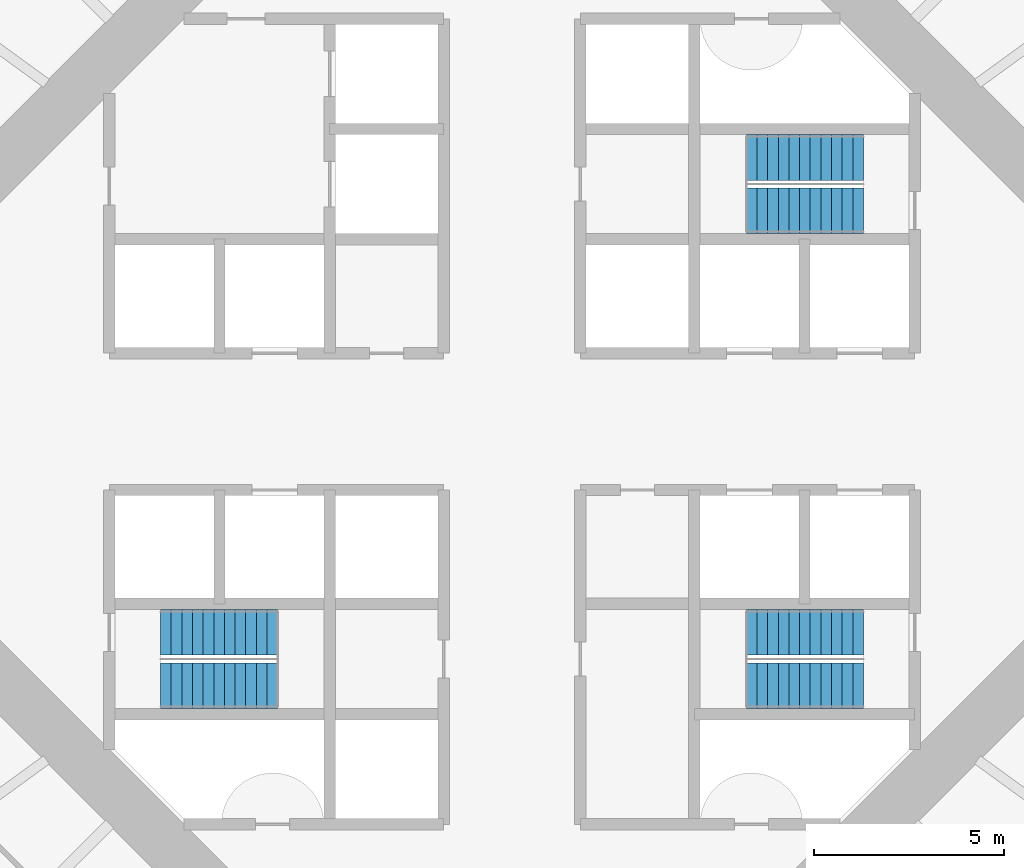
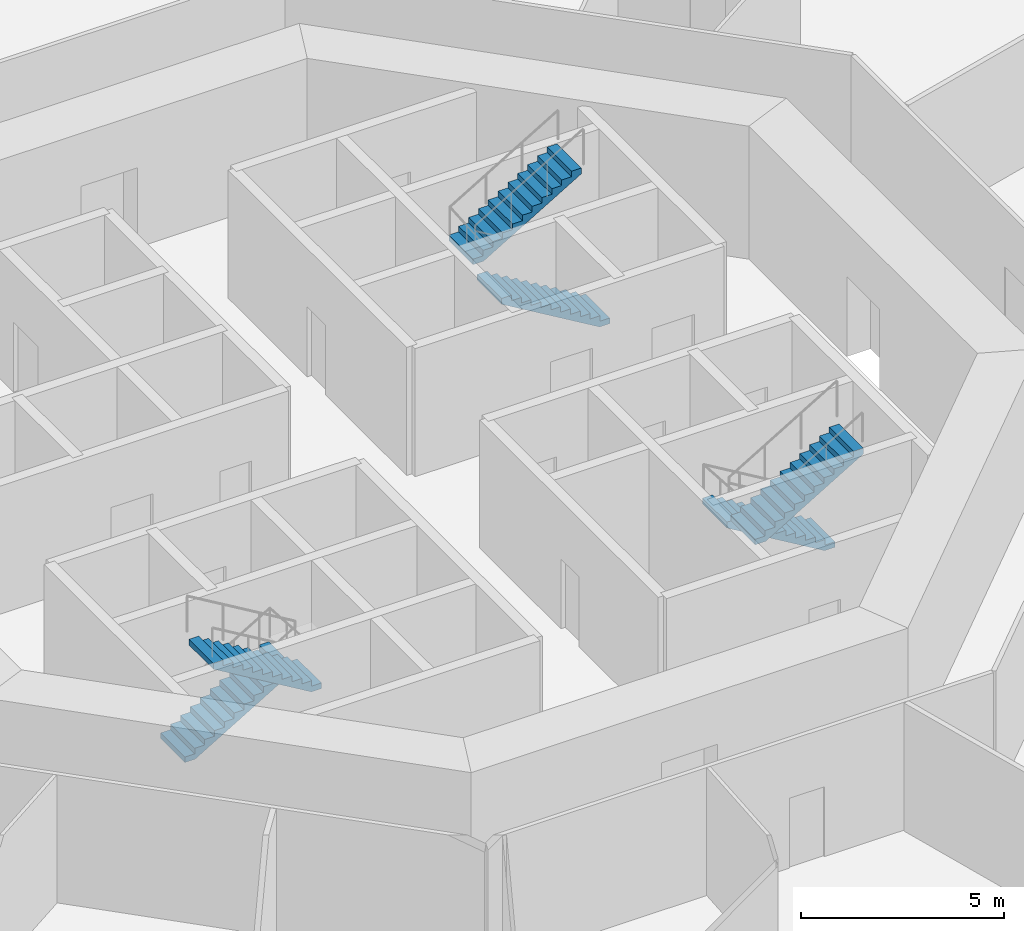
# One storey, part 6 of 13: 6 stair flights, 3 elements without a shape of their own.
"""IFC4 building model written with IfcOpenShell, lengths in metres."""

from ifc_helpers import new_model, si_unit, direction, frame, origin, place, context, subcontext, project, spatial, polyline, outline, extrude, material, type_object, element, aggregate, save


model = new_model("IFC4")

# Units and contexts
model_context = context("Model", 3, precision=1e-05, world=origin(), true_north=direction((0.0, 1.0)))
body_context = subcontext(model_context, "Body", "Model", "MODEL_VIEW")
ifc_project = project(units=[si_unit("LENGTHUNIT", "METRE"), si_unit("AREAUNIT", "SQUARE_METRE"), si_unit("VOLUMEUNIT", "CUBIC_METRE"), si_unit("PLANEANGLEUNIT", "RADIAN"), si_unit("MASSUNIT", "GRAM", prefix="KILO")], contexts=[model_context])

# Site, building, storey
site_placement = place(None, origin())
site = spatial("IfcSite", under=ifc_project, at=site_placement, CompositionType="ELEMENT")
building_placement = place(site_placement, origin())
building = spatial("IfcBuilding", under=site, at=building_placement, Name="Entoto Ring Tower", CompositionType="ELEMENT")
storey_placement = place(building_placement, frame((0.0, 0.0, 22.0)))
storey = spatial("IfcBuildingStorey", under=building, at=storey_placement, Name="L03", CompositionType="ELEMENT", Elevation=22.0)

# Stair, stair flights
ifc_material_1 = material(Name="Concrete C40/50", Category="concrete")
stair_type = type_object("IfcStairType", Name="Exit stair 1200 mm dog-leg reinforced concrete", PredefinedType="HALF_TURN_STAIR", material=ifc_material_1)
stair_1_placement = place(storey_placement, origin())
stair_1 = element("IfcStair", 1, at=stair_1_placement, inside=storey, type_object=stair_type, Name="Exit stair 1", PredefinedType="HALF_TURN_STAIR")
ifc_material_2 = material(Name="Concrete C40/50", Category="concrete")
stair_flight_type = type_object("IfcStairFlightType", Name="Stair flight 1200 mm reinforced concrete", PredefinedType="STRAIGHT", material=ifc_material_2)
stair_flight_1_placement = place(storey_placement, frame((99.25, 85.550048828125, 0.0), z_axis=(0.0, 0.0, 1.0), x_axis=(-1.0, 0.0, 0.0)))
stair_flight_1 = element("IfcStairFlight", 2, at=stair_flight_1_placement, type_object=stair_flight_type, Name="ST1 flight 1", NumberOfRisers=12, NumberOfTreads=11, PredefinedType="STRAIGHT", RiserHeight=0.166666667, TreadLength=0.28, context=body_context, shape_type="SweptSolid", body=[
    extrude(outline(polyline([(0.0, 0.0), (0.0, 0.166748046875), (0.280029296875, 0.166748046875), (0.280029296875, 0.333251953125), (0.56005859375, 0.333251953125), (0.56005859375, 0.5), (0.840087890625, 0.5), (0.840087890625, 0.666748046875), (1.1201171875, 0.666748046875), (1.1201171875, 0.833251953125), (1.39990234375, 0.833251953125), (1.39990234375, 1.0), (1.679931640625, 1.0), (1.679931640625, 1.166748046875), (1.9599609375, 1.166748046875), (1.9599609375, 1.333251953125), (2.239990234375, 1.333251953125), (2.239990234375, 1.5), (2.52001953125, 1.5), (2.52001953125, 1.666748046875), (2.800048828125, 1.666748046875), (2.800048828125, 1.833251953125), (3.080078125, 1.833251953125), (3.080078125, 2.0), (3.080078125, 1.658935546875), (0.29296875, 0.0), (0.0, 0.0)])), frame((0.0, 0.60009765625, 0.0), z_axis=(0.0, -1.0, 0.0), x_axis=(1.0, 0.0, 0.0)), (0.0, 0.0, 1.0), 1.199951171875),
])
stair_flight_2_placement = place(storey_placement, frame((96.169921875, 86.949951171875, 2.0), z_axis=(0.0, 0.0, 1.0), x_axis=(1.0, 0.0, 0.0)))
stair_flight_2 = element("IfcStairFlight", 3, at=stair_flight_2_placement, type_object=stair_flight_type, Name="ST1 flight 2", NumberOfRisers=12, NumberOfTreads=11, PredefinedType="STRAIGHT", RiserHeight=0.166666667, TreadLength=0.28, context=body_context, shape_type="SweptSolid", body=[
    extrude(outline(polyline([(0.0, 0.0), (0.0, 0.166748046875), (0.280029296875, 0.166748046875), (0.280029296875, 0.333251953125), (0.56005859375, 0.333251953125), (0.56005859375, 0.5), (0.840087890625, 0.5), (0.840087890625, 0.666748046875), (1.1201171875, 0.666748046875), (1.1201171875, 0.833251953125), (1.39990234375, 0.833251953125), (1.39990234375, 1.0), (1.679931640625, 1.0), (1.679931640625, 1.166748046875), (1.9599609375, 1.166748046875), (1.9599609375, 1.333251953125), (2.239990234375, 1.333251953125), (2.239990234375, 1.5), (2.52001953125, 1.5), (2.52001953125, 1.666748046875), (2.800048828125, 1.666748046875), (2.800048828125, 1.833251953125), (3.080078125, 1.833251953125), (3.080078125, 2.0), (3.080078125, 1.658935546875), (0.29296875, 0.0), (0.0, 0.0)])), frame((0.0, 0.60009765625, 0.0), z_axis=(0.0, -1.0, 0.0), x_axis=(1.0, 0.0, 0.0)), (0.0, 0.0, 1.0), 1.199951171875),
])
aggregate(stair_1, [stair_flight_1, stair_flight_2])

stair_2_placement = place(storey_placement, origin())
stair_2 = element("IfcStair", 4, at=stair_2_placement, inside=storey, type_object=stair_type, Name="Exit stair 2", PredefinedType="HALF_TURN_STAIR")
stair_flight_3_placement = place(storey_placement, frame((80.75, 74.449951171875, 0.0), z_axis=(0.0, 0.0, 1.0), x_axis=(1.0, 0.0, 0.0)))
stair_flight_3 = element("IfcStairFlight", 5, at=stair_flight_3_placement, type_object=stair_flight_type, Name="ST2 flight 1", NumberOfRisers=12, NumberOfTreads=11, PredefinedType="STRAIGHT", RiserHeight=0.166666667, TreadLength=0.28, context=body_context, shape_type="SweptSolid", body=[
    extrude(outline(polyline([(0.0, 0.0), (0.0, 0.166748046875), (0.280029296875, 0.166748046875), (0.280029296875, 0.333251953125), (0.56005859375, 0.333251953125), (0.56005859375, 0.5), (0.840087890625, 0.5), (0.840087890625, 0.666748046875), (1.1201171875, 0.666748046875), (1.1201171875, 0.833251953125), (1.39990234375, 0.833251953125), (1.39990234375, 1.0), (1.679931640625, 1.0), (1.679931640625, 1.166748046875), (1.9599609375, 1.166748046875), (1.9599609375, 1.333251953125), (2.239990234375, 1.333251953125), (2.239990234375, 1.5), (2.52001953125, 1.5), (2.52001953125, 1.666748046875), (2.800048828125, 1.666748046875), (2.800048828125, 1.833251953125), (3.080078125, 1.833251953125), (3.080078125, 2.0), (3.080078125, 1.658935546875), (0.29296875, 0.0), (0.0, 0.0)])), frame((0.0, 0.60009765625, 0.0), z_axis=(0.0, -1.0, 0.0), x_axis=(1.0, 0.0, 0.0)), (0.0, 0.0, 1.0), 1.199951171875),
])
stair_flight_4_placement = place(storey_placement, frame((83.830078125, 73.050048828125, 2.0), z_axis=(0.0, 0.0, 1.0), x_axis=(-1.0, 0.0, 0.0)))
stair_flight_4 = element("IfcStairFlight", 6, at=stair_flight_4_placement, type_object=stair_flight_type, Name="ST2 flight 2", NumberOfRisers=12, NumberOfTreads=11, PredefinedType="STRAIGHT", RiserHeight=0.166666667, TreadLength=0.28, context=body_context, shape_type="SweptSolid", body=[
    extrude(outline(polyline([(0.0, 0.0), (0.0, 0.166748046875), (0.280029296875, 0.166748046875), (0.280029296875, 0.333251953125), (0.56005859375, 0.333251953125), (0.56005859375, 0.5), (0.840087890625, 0.5), (0.840087890625, 0.666748046875), (1.1201171875, 0.666748046875), (1.1201171875, 0.833251953125), (1.39990234375, 0.833251953125), (1.39990234375, 1.0), (1.679931640625, 1.0), (1.679931640625, 1.166748046875), (1.9599609375, 1.166748046875), (1.9599609375, 1.333251953125), (2.239990234375, 1.333251953125), (2.239990234375, 1.5), (2.52001953125, 1.5), (2.52001953125, 1.666748046875), (2.800048828125, 1.666748046875), (2.800048828125, 1.833251953125), (3.080078125, 1.833251953125), (3.080078125, 2.0), (3.080078125, 1.658935546875), (0.29296875, 0.0), (0.0, 0.0)])), frame((0.0, 0.60009765625, 0.0), z_axis=(0.0, -1.0, 0.0), x_axis=(1.0, 0.0, 0.0)), (0.0, 0.0, 1.0), 1.199951171875),
])
aggregate(stair_2, [stair_flight_3, stair_flight_4])

stair_3_placement = place(storey_placement, origin())
stair_3 = element("IfcStair", 7, at=stair_3_placement, inside=storey, type_object=stair_type, Name="Exit stair 3", PredefinedType="HALF_TURN_STAIR")
stair_flight_5_placement = place(storey_placement, frame((99.25, 74.449951171875, 0.0), z_axis=(0.0, 0.0, 1.0), x_axis=(-1.0, 0.0, 0.0)))
stair_flight_5 = element("IfcStairFlight", 8, at=stair_flight_5_placement, type_object=stair_flight_type, Name="ST3 flight 1", NumberOfRisers=12, NumberOfTreads=11, PredefinedType="STRAIGHT", RiserHeight=0.166666667, TreadLength=0.28, context=body_context, shape_type="SweptSolid", body=[
    extrude(outline(polyline([(0.0, 0.0), (0.0, 0.166748046875), (0.280029296875, 0.166748046875), (0.280029296875, 0.333251953125), (0.56005859375, 0.333251953125), (0.56005859375, 0.5), (0.840087890625, 0.5), (0.840087890625, 0.666748046875), (1.1201171875, 0.666748046875), (1.1201171875, 0.833251953125), (1.39990234375, 0.833251953125), (1.39990234375, 1.0), (1.679931640625, 1.0), (1.679931640625, 1.166748046875), (1.9599609375, 1.166748046875), (1.9599609375, 1.333251953125), (2.239990234375, 1.333251953125), (2.239990234375, 1.5), (2.52001953125, 1.5), (2.52001953125, 1.666748046875), (2.800048828125, 1.666748046875), (2.800048828125, 1.833251953125), (3.080078125, 1.833251953125), (3.080078125, 2.0), (3.080078125, 1.658935546875), (0.29296875, 0.0), (0.0, 0.0)])), frame((0.0, 0.60009765625, 0.0), z_axis=(0.0, -1.0, 0.0), x_axis=(1.0, 0.0, 0.0)), (0.0, 0.0, 1.0), 1.199951171875),
])
stair_flight_6_placement = place(storey_placement, frame((96.169921875, 73.050048828125, 2.0), z_axis=(0.0, 0.0, 1.0), x_axis=(1.0, 0.0, 0.0)))
stair_flight_6 = element("IfcStairFlight", 9, at=stair_flight_6_placement, type_object=stair_flight_type, Name="ST3 flight 2", NumberOfRisers=12, NumberOfTreads=11, PredefinedType="STRAIGHT", RiserHeight=0.166666667, TreadLength=0.28, context=body_context, shape_type="SweptSolid", body=[
    extrude(outline(polyline([(0.0, 0.0), (0.0, 0.166748046875), (0.280029296875, 0.166748046875), (0.280029296875, 0.333251953125), (0.56005859375, 0.333251953125), (0.56005859375, 0.5), (0.840087890625, 0.5), (0.840087890625, 0.666748046875), (1.1201171875, 0.666748046875), (1.1201171875, 0.833251953125), (1.39990234375, 0.833251953125), (1.39990234375, 1.0), (1.679931640625, 1.0), (1.679931640625, 1.166748046875), (1.9599609375, 1.166748046875), (1.9599609375, 1.333251953125), (2.239990234375, 1.333251953125), (2.239990234375, 1.5), (2.52001953125, 1.5), (2.52001953125, 1.666748046875), (2.800048828125, 1.666748046875), (2.800048828125, 1.833251953125), (3.080078125, 1.833251953125), (3.080078125, 2.0), (3.080078125, 1.658935546875), (0.29296875, 0.0), (0.0, 0.0)])), frame((0.0, 0.60009765625, 0.0), z_axis=(0.0, -1.0, 0.0), x_axis=(1.0, 0.0, 0.0)), (0.0, 0.0, 1.0), 1.199951171875),
])
aggregate(stair_3, [stair_flight_5, stair_flight_6])

save(model, "model.ifc")
